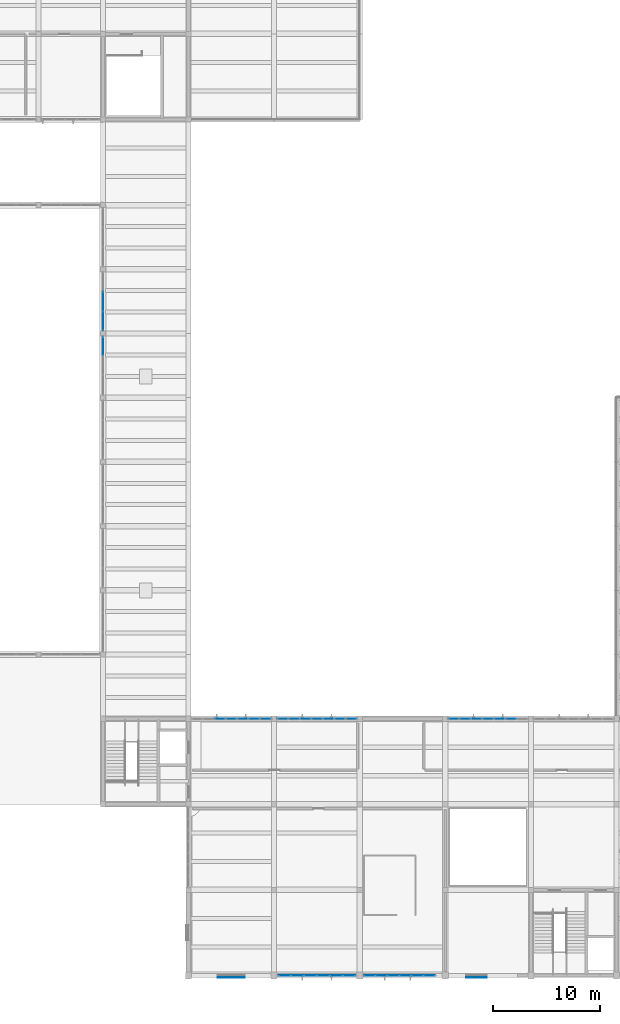
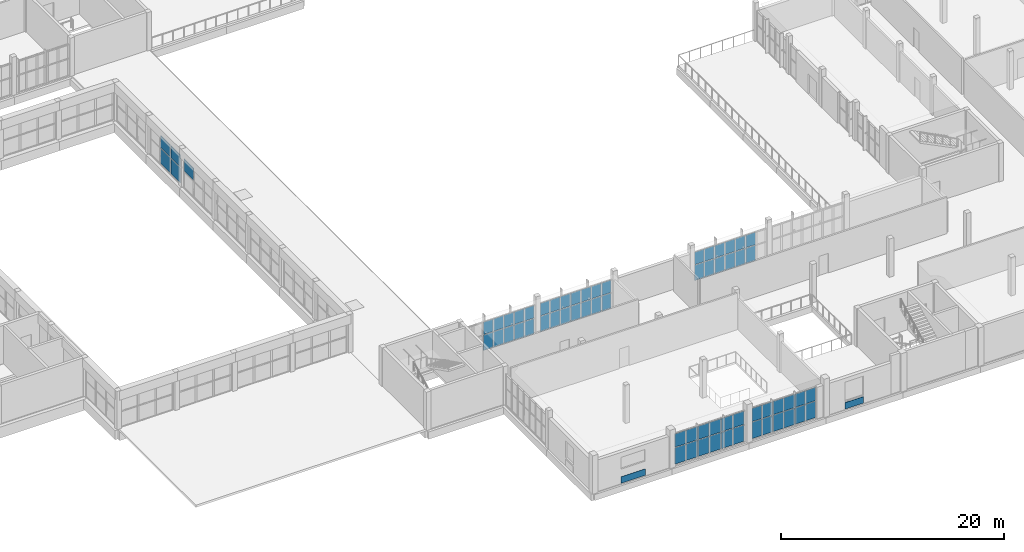
# One storey, part 42 of 70: 67 plates, 7 elements without a shape of their own.
"""IFC4 building model written with IfcOpenShell, lengths in metres."""

from ifc_helpers import new_model, si_unit, direction, frame, origin, origin_2d, place, context, subcontext, project, spatial, rectangle, extrude, material, layer, layer_set, type_object, element, aggregate, save


model = new_model("IFC4")

# Units and contexts
model_context = context("Model", 3, precision=1e-05, world=origin(), true_north=direction((0.0, 1.0)))
body_context = subcontext(model_context, "Body", "Model", "MODEL_VIEW")
ifc_project = project(units=[si_unit("LENGTHUNIT", "METRE"), si_unit("AREAUNIT", "SQUARE_METRE"), si_unit("VOLUMEUNIT", "CUBIC_METRE"), si_unit("PLANEANGLEUNIT", "RADIAN"), si_unit("MASSUNIT", "GRAM", prefix="KILO")], contexts=[model_context])

# Site, building, storey
site_placement = place(None, origin())
site = spatial("IfcSite", under=ifc_project, at=site_placement, CompositionType="ELEMENT")
building_placement = place(site_placement, origin())
building = spatial("IfcBuilding", under=site, at=building_placement, Name="Solvane Community Centre", CompositionType="ELEMENT")
storey_placement = place(building_placement, frame((0.0, 0.0, 9.60009765625)))
storey = spatial("IfcBuildingStorey", under=building, at=storey_placement, Name="L02", CompositionType="ELEMENT", Elevation=9.60009765625)

# Plates
ifc_material_1 = material(Name="Anodised bronze aluminium AW-6063 T6", Category="aluminium")
ifc_layer_1 = layer(ifc_material_1, 0.02392578125)
ifc_layer_set_1 = layer_set([ifc_layer_1], Name="Anodised bronze aluminium AW-6063 T6")
plate_type_1 = type_object("IfcPlateType", Name="Bronze Spandrel Cassette 24mm", PredefinedType="SHEET", material=ifc_layer_set_1)
plate_1_placement = place(storey_placement, frame((94.923095703125, 5.81298828125, 0.06005859375), z_axis=(0.0, 0.0, 1.0), x_axis=(-1.0, 0.0, 0.0)))
element("IfcPlate", 1, at=plate_1_placement, inside=storey, type_object=plate_type_1, Name="Art Deco Spandrel SPC-L02-031", PredefinedType="SHEET", context=body_context, shape_type="SweptSolid", body=[
    extrude(rectangle(XDim=1.89990234375, YDim=0.02392578125, at=origin_2d()), origin(), (0.0, 0.0, 1.0), 0.719970703125),
])
plate_2_placement = place(storey_placement, frame((72.0, 5.81298828125, 0.06005859375), z_axis=(0.0, 0.0, 1.0), x_axis=(-1.0, 0.0, 0.0)))
element("IfcPlate", 2, at=plate_2_placement, inside=storey, type_object=plate_type_1, Name="Art Deco Spandrel SPC-L02-032", PredefinedType="SHEET", context=body_context, shape_type="SweptSolid", body=[
    extrude(rectangle(XDim=2.5, YDim=0.02392578125, at=origin_2d()), origin(), (0.0, 0.0, 1.0), 0.719970703125),
])

# Curtain wall, plates
ifc_layer_2 = layer(ifc_material_1, 0.18994140625)
ifc_layer_set_2 = layer_set([ifc_layer_2], Name="Anodised bronze aluminium AW-6063 T6")
curtain_wall_type_1 = type_object("IfcCurtainWallType", Name="Boulevard Bronze Vision Curtain Wall [67x34dm]", PredefinedType="NOTDEFINED", material=ifc_layer_set_2)
curtain_wall_1_placement = place(storey_placement, origin())
curtain_wall_1 = element("IfcCurtainWall", 3, at=curtain_wall_1_placement, inside=storey, type_object=curtain_wall_type_1, Name="Curtain Wall CW-L02-911_60-189", PredefinedType="NOTDEFINED")
ifc_material_2 = material(Name="Tempered low-E double glazing", Category="glass")
ifc_layer_3 = layer(ifc_material_2, 0.028076171875)
ifc_layer_set_3 = layer_set([ifc_layer_3], Name="Tempered low-E double glazing")
plate_type_2 = type_object("IfcPlateType", Name="Low-E Vision Glazing Panel 28mm [67x34dm]", PredefinedType="CURTAIN_PANEL", material=ifc_layer_set_3)
plate_3_placement = place(storey_placement, frame((90.501708984375, 6.0, 0.06005859375), z_axis=(0.0, 0.0, 1.0), x_axis=(-1.0, 0.0, 0.0)))
plate_3 = element("IfcPlate", 4, at=plate_3_placement, type_object=plate_type_2, Name="CW02-67x34 panel 1.1", PredefinedType="CURTAIN_PANEL", context=body_context, shape_type="SweptSolid", body=[
    extrude(rectangle(XDim=1.0302734375, YDim=0.028076171875, at=origin_2d()), origin(), (0.0, 0.0, 1.0), 1.804931640625),
])
plate_4_placement = place(storey_placement, frame((90.501708984375, 6.0, 1.9248046875), z_axis=(0.0, 0.0, 1.0), x_axis=(-1.0, 0.0, 0.0)))
plate_4 = element("IfcPlate", 5, at=plate_4_placement, type_object=plate_type_2, Name="CW02-67x34 panel 1.2", PredefinedType="CURTAIN_PANEL", context=body_context, shape_type="SweptSolid", body=[
    extrude(rectangle(XDim=1.0302734375, YDim=0.028076171875, at=origin_2d()), origin(), (0.0, 0.0, 1.0), 1.4599609375),
])
plate_5_placement = place(storey_placement, frame((89.396484375, 6.0, 0.06005859375), z_axis=(0.0, 0.0, 1.0), x_axis=(-1.0, 0.0, 0.0)))
plate_5 = element("IfcPlate", 6, at=plate_5_placement, type_object=plate_type_2, Name="CW02-67x34 panel 2.1", PredefinedType="CURTAIN_PANEL", context=body_context, shape_type="SweptSolid", body=[
    extrude(rectangle(XDim=1.060302734375, YDim=0.028076171875, at=origin_2d()), origin(), (0.0, 0.0, 1.0), 1.804931640625),
])
plate_6_placement = place(storey_placement, frame((89.396484375, 6.0, 1.9248046875), z_axis=(0.0, 0.0, 1.0), x_axis=(-1.0, 0.0, 0.0)))
plate_6 = element("IfcPlate", 7, at=plate_6_placement, type_object=plate_type_2, Name="CW02-67x34 panel 2.2", PredefinedType="CURTAIN_PANEL", context=body_context, shape_type="SweptSolid", body=[
    extrude(rectangle(XDim=1.060302734375, YDim=0.028076171875, at=origin_2d()), origin(), (0.0, 0.0, 1.0), 1.4599609375),
])
plate_7_placement = place(storey_placement, frame((88.276123046875, 6.0, 0.06005859375), z_axis=(0.0, 0.0, 1.0), x_axis=(-1.0, 0.0, 0.0)))
plate_7 = element("IfcPlate", 8, at=plate_7_placement, type_object=plate_type_2, Name="CW02-67x34 panel 3.1", PredefinedType="CURTAIN_PANEL", context=body_context, shape_type="SweptSolid", body=[
    extrude(rectangle(XDim=1.060302734375, YDim=0.028076171875, at=origin_2d()), origin(), (0.0, 0.0, 1.0), 1.804931640625),
])
plate_8_placement = place(storey_placement, frame((88.276123046875, 6.0, 1.9248046875), z_axis=(0.0, 0.0, 1.0), x_axis=(-1.0, 0.0, 0.0)))
plate_8 = element("IfcPlate", 9, at=plate_8_placement, type_object=plate_type_2, Name="CW02-67x34 panel 3.2", PredefinedType="CURTAIN_PANEL", context=body_context, shape_type="SweptSolid", body=[
    extrude(rectangle(XDim=1.060302734375, YDim=0.028076171875, at=origin_2d()), origin(), (0.0, 0.0, 1.0), 1.4599609375),
])
plate_9_placement = place(storey_placement, frame((87.15576171875, 6.0, 0.06005859375), z_axis=(0.0, 0.0, 1.0), x_axis=(-1.0, 0.0, 0.0)))
plate_9 = element("IfcPlate", 10, at=plate_9_placement, type_object=plate_type_2, Name="CW02-67x34 panel 4.1", PredefinedType="CURTAIN_PANEL", context=body_context, shape_type="SweptSolid", body=[
    extrude(rectangle(XDim=1.060302734375, YDim=0.028076171875, at=origin_2d()), origin(), (0.0, 0.0, 1.0), 1.804931640625),
])
plate_10_placement = place(storey_placement, frame((87.15576171875, 6.0, 1.9248046875), z_axis=(0.0, 0.0, 1.0), x_axis=(-1.0, 0.0, 0.0)))
plate_10 = element("IfcPlate", 11, at=plate_10_placement, type_object=plate_type_2, Name="CW02-67x34 panel 4.2", PredefinedType="CURTAIN_PANEL", context=body_context, shape_type="SweptSolid", body=[
    extrude(rectangle(XDim=1.060302734375, YDim=0.028076171875, at=origin_2d()), origin(), (0.0, 0.0, 1.0), 1.4599609375),
])
plate_11_placement = place(storey_placement, frame((86.035400390625, 6.0, 0.06005859375), z_axis=(0.0, 0.0, 1.0), x_axis=(-1.0, 0.0, 0.0)))
plate_11 = element("IfcPlate", 12, at=plate_11_placement, type_object=plate_type_2, Name="CW02-67x34 panel 5.1", PredefinedType="CURTAIN_PANEL", context=body_context, shape_type="SweptSolid", body=[
    extrude(rectangle(XDim=1.060302734375, YDim=0.028076171875, at=origin_2d()), origin(), (0.0, 0.0, 1.0), 1.804931640625),
])
plate_12_placement = place(storey_placement, frame((86.035400390625, 6.0, 1.9248046875), z_axis=(0.0, 0.0, 1.0), x_axis=(-1.0, 0.0, 0.0)))
plate_12 = element("IfcPlate", 13, at=plate_12_placement, type_object=plate_type_2, Name="CW02-67x34 panel 5.2", PredefinedType="CURTAIN_PANEL", context=body_context, shape_type="SweptSolid", body=[
    extrude(rectangle(XDim=1.060302734375, YDim=0.028076171875, at=origin_2d()), origin(), (0.0, 0.0, 1.0), 1.4599609375),
])
plate_13_placement = place(storey_placement, frame((84.93017578125, 6.0, 0.06005859375), z_axis=(0.0, 0.0, 1.0), x_axis=(-1.0, 0.0, 0.0)))
plate_13 = element("IfcPlate", 14, at=plate_13_placement, type_object=plate_type_2, Name="CW02-67x34 panel 6.1", PredefinedType="CURTAIN_PANEL", context=body_context, shape_type="SweptSolid", body=[
    extrude(rectangle(XDim=1.0302734375, YDim=0.028076171875, at=origin_2d()), origin(), (0.0, 0.0, 1.0), 1.804931640625),
])
plate_14_placement = place(storey_placement, frame((84.93017578125, 6.0, 1.9248046875), z_axis=(0.0, 0.0, 1.0), x_axis=(-1.0, 0.0, 0.0)))
plate_14 = element("IfcPlate", 15, at=plate_14_placement, type_object=plate_type_2, Name="CW02-67x34 panel 6.2", PredefinedType="CURTAIN_PANEL", context=body_context, shape_type="SweptSolid", body=[
    extrude(rectangle(XDim=1.0302734375, YDim=0.028076171875, at=origin_2d()), origin(), (0.0, 0.0, 1.0), 1.4599609375),
])
aggregate(curtain_wall_1, [plate_3, plate_4, plate_5, plate_6, plate_7, plate_8, plate_9, plate_10, plate_11, plate_12, plate_13, plate_14])

ifc_layer_4 = layer(ifc_material_1, 0.18994140625)
ifc_layer_set_4 = layer_set([ifc_layer_4], Name="Anodised bronze aluminium AW-6063 T6")
curtain_wall_type_2 = type_object("IfcCurtainWallType", Name="Boulevard Bronze Vision Curtain Wall [73x34dm]", PredefinedType="NOTDEFINED", material=ifc_layer_set_4)
curtain_wall_2_placement = place(storey_placement, origin())
curtain_wall_2 = element("IfcCurtainWall", 16, at=curtain_wall_2_placement, inside=storey, type_object=curtain_wall_type_2, Name="Curtain Wall CW-L02-836_60-190", PredefinedType="NOTDEFINED")
ifc_layer_5 = layer(ifc_material_2, 0.028076171875)
ifc_layer_set_5 = layer_set([ifc_layer_5], Name="Tempered low-E double glazing")
plate_type_3 = type_object("IfcPlateType", Name="Low-E Vision Glazing Panel 28mm [73x34dm]", PredefinedType="CURTAIN_PANEL", material=ifc_layer_set_5)
plate_15_placement = place(storey_placement, frame((83.0224609375, 6.0, 0.06005859375), z_axis=(0.0, 0.0, 1.0), x_axis=(-1.0, 0.0, 0.0)))
plate_15 = element("IfcPlate", 17, at=plate_15_placement, type_object=plate_type_3, Name="CW02-73x34 panel 1.1", PredefinedType="CURTAIN_PANEL", context=body_context, shape_type="SweptSolid", body=[
    extrude(rectangle(XDim=1.125, YDim=0.028076171875, at=origin_2d()), origin(), (0.0, 0.0, 1.0), 1.804931640625),
])
plate_16_placement = place(storey_placement, frame((83.0224609375, 6.0, 1.9248046875), z_axis=(0.0, 0.0, 1.0), x_axis=(-1.0, 0.0, 0.0)))
plate_16 = element("IfcPlate", 18, at=plate_16_placement, type_object=plate_type_3, Name="CW02-73x34 panel 1.2", PredefinedType="CURTAIN_PANEL", context=body_context, shape_type="SweptSolid", body=[
    extrude(rectangle(XDim=1.125, YDim=0.028076171875, at=origin_2d()), origin(), (0.0, 0.0, 1.0), 1.4599609375),
])
plate_17_placement = place(storey_placement, frame((81.822509765625, 6.0, 0.06005859375), z_axis=(0.0, 0.0, 1.0), x_axis=(-1.0, 0.0, 0.0)))
plate_17 = element("IfcPlate", 19, at=plate_17_placement, type_object=plate_type_3, Name="CW02-73x34 panel 2.1", PredefinedType="CURTAIN_PANEL", context=body_context, shape_type="SweptSolid", body=[
    extrude(rectangle(XDim=1.155029296875, YDim=0.028076171875, at=origin_2d()), origin(), (0.0, 0.0, 1.0), 1.804931640625),
])
plate_18_placement = place(storey_placement, frame((81.822509765625, 6.0, 1.9248046875), z_axis=(0.0, 0.0, 1.0), x_axis=(-1.0, 0.0, 0.0)))
plate_18 = element("IfcPlate", 20, at=plate_18_placement, type_object=plate_type_3, Name="CW02-73x34 panel 2.2", PredefinedType="CURTAIN_PANEL", context=body_context, shape_type="SweptSolid", body=[
    extrude(rectangle(XDim=1.155029296875, YDim=0.028076171875, at=origin_2d()), origin(), (0.0, 0.0, 1.0), 1.4599609375),
])
plate_19_placement = place(storey_placement, frame((80.607421875, 6.0, 0.06005859375), z_axis=(0.0, 0.0, 1.0), x_axis=(-1.0, 0.0, 0.0)))
plate_19 = element("IfcPlate", 21, at=plate_19_placement, type_object=plate_type_3, Name="CW02-73x34 panel 3.1", PredefinedType="CURTAIN_PANEL", context=body_context, shape_type="SweptSolid", body=[
    extrude(rectangle(XDim=1.155029296875, YDim=0.028076171875, at=origin_2d()), origin(), (0.0, 0.0, 1.0), 1.804931640625),
])
plate_20_placement = place(storey_placement, frame((80.607421875, 6.0, 1.9248046875), z_axis=(0.0, 0.0, 1.0), x_axis=(-1.0, 0.0, 0.0)))
plate_20 = element("IfcPlate", 22, at=plate_20_placement, type_object=plate_type_3, Name="CW02-73x34 panel 3.2", PredefinedType="CURTAIN_PANEL", context=body_context, shape_type="SweptSolid", body=[
    extrude(rectangle(XDim=1.155029296875, YDim=0.028076171875, at=origin_2d()), origin(), (0.0, 0.0, 1.0), 1.4599609375),
])
plate_21_placement = place(storey_placement, frame((79.392578125, 6.0, 0.06005859375), z_axis=(0.0, 0.0, 1.0), x_axis=(-1.0, 0.0, 0.0)))
plate_21 = element("IfcPlate", 23, at=plate_21_placement, type_object=plate_type_3, Name="CW02-73x34 panel 4.1", PredefinedType="CURTAIN_PANEL", context=body_context, shape_type="SweptSolid", body=[
    extrude(rectangle(XDim=1.155029296875, YDim=0.028076171875, at=origin_2d()), origin(), (0.0, 0.0, 1.0), 1.804931640625),
])
plate_22_placement = place(storey_placement, frame((79.392578125, 6.0, 1.9248046875), z_axis=(0.0, 0.0, 1.0), x_axis=(-1.0, 0.0, 0.0)))
plate_22 = element("IfcPlate", 24, at=plate_22_placement, type_object=plate_type_3, Name="CW02-73x34 panel 4.2", PredefinedType="CURTAIN_PANEL", context=body_context, shape_type="SweptSolid", body=[
    extrude(rectangle(XDim=1.155029296875, YDim=0.028076171875, at=origin_2d()), origin(), (0.0, 0.0, 1.0), 1.4599609375),
])
plate_23_placement = place(storey_placement, frame((78.177490234375, 6.0, 0.06005859375), z_axis=(0.0, 0.0, 1.0), x_axis=(-1.0, 0.0, 0.0)))
plate_23 = element("IfcPlate", 25, at=plate_23_placement, type_object=plate_type_3, Name="CW02-73x34 panel 5.1", PredefinedType="CURTAIN_PANEL", context=body_context, shape_type="SweptSolid", body=[
    extrude(rectangle(XDim=1.155029296875, YDim=0.028076171875, at=origin_2d()), origin(), (0.0, 0.0, 1.0), 1.804931640625),
])
plate_24_placement = place(storey_placement, frame((78.177490234375, 6.0, 1.9248046875), z_axis=(0.0, 0.0, 1.0), x_axis=(-1.0, 0.0, 0.0)))
plate_24 = element("IfcPlate", 26, at=plate_24_placement, type_object=plate_type_3, Name="CW02-73x34 panel 5.2", PredefinedType="CURTAIN_PANEL", context=body_context, shape_type="SweptSolid", body=[
    extrude(rectangle(XDim=1.155029296875, YDim=0.028076171875, at=origin_2d()), origin(), (0.0, 0.0, 1.0), 1.4599609375),
])
plate_25_placement = place(storey_placement, frame((76.9775390625, 6.0, 0.06005859375), z_axis=(0.0, 0.0, 1.0), x_axis=(-1.0, 0.0, 0.0)))
plate_25 = element("IfcPlate", 27, at=plate_25_placement, type_object=plate_type_3, Name="CW02-73x34 panel 6.1", PredefinedType="CURTAIN_PANEL", context=body_context, shape_type="SweptSolid", body=[
    extrude(rectangle(XDim=1.125, YDim=0.028076171875, at=origin_2d()), origin(), (0.0, 0.0, 1.0), 1.804931640625),
])
plate_26_placement = place(storey_placement, frame((76.9775390625, 6.0, 1.9248046875), z_axis=(0.0, 0.0, 1.0), x_axis=(-1.0, 0.0, 0.0)))
plate_26 = element("IfcPlate", 28, at=plate_26_placement, type_object=plate_type_3, Name="CW02-73x34 panel 6.2", PredefinedType="CURTAIN_PANEL", context=body_context, shape_type="SweptSolid", body=[
    extrude(rectangle(XDim=1.125, YDim=0.028076171875, at=origin_2d()), origin(), (0.0, 0.0, 1.0), 1.4599609375),
])
aggregate(curtain_wall_2, [plate_15, plate_16, plate_17, plate_18, plate_19, plate_20, plate_21, plate_22, plate_23, plate_24, plate_25, plate_26])

ifc_layer_6 = layer(ifc_material_1, 0.18994140625)
ifc_layer_set_6 = layer_set([ifc_layer_6], Name="Anodised bronze aluminium AW-6063 T6")
curtain_wall_type_3 = type_object("IfcCurtainWallType", Name="Boulevard Bronze Vision Curtain Wall [75x32dm]", PredefinedType="NOTDEFINED", material=ifc_layer_set_6)
curtain_wall_3_placement = place(storey_placement, origin())
curtain_wall_3 = element("IfcCurtainWall", 29, at=curtain_wall_3_placement, inside=storey, type_object=curtain_wall_type_3, Name="Curtain Wall CW-L02-683_300-192", PredefinedType="NOTDEFINED")
ifc_layer_7 = layer(ifc_material_2, 0.028076171875)
ifc_layer_set_7 = layer_set([ifc_layer_7], Name="Tempered low-E double glazing")
plate_type_4 = type_object("IfcPlateType", Name="Low-E Vision Glazing Panel 28mm [75x32dm]", PredefinedType="CURTAIN_PANEL", material=ifc_layer_set_7)
plate_27_placement = place(storey_placement, frame((70.929931640625, 30.0, 0.06005859375), z_axis=(0.0, 0.0, 1.0), x_axis=(1.0, 0.0, 0.0)))
plate_27 = element("IfcPlate", 30, at=plate_27_placement, type_object=plate_type_4, Name="CW02-75x32 panel 3.1", PredefinedType="CURTAIN_PANEL", context=body_context, shape_type="SweptSolid", body=[
    extrude(rectangle(XDim=1.010009765625, YDim=0.028076171875, at=origin_2d()), origin(), (0.0, 0.0, 1.0), 1.695068359375),
])
plate_28_placement = place(storey_placement, frame((70.929931640625, 30.0, 1.81494140625), z_axis=(0.0, 0.0, 1.0), x_axis=(1.0, 0.0, 0.0)))
plate_28 = element("IfcPlate", 31, at=plate_28_placement, type_object=plate_type_4, Name="CW02-75x32 panel 3.2", PredefinedType="CURTAIN_PANEL", context=body_context, shape_type="SweptSolid", body=[
    extrude(rectangle(XDim=1.010009765625, YDim=0.028076171875, at=origin_2d()), origin(), (0.0, 0.0, 1.0), 1.3701171875),
])
plate_29_placement = place(storey_placement, frame((72.0, 30.0, 0.06005859375), z_axis=(0.0, 0.0, 1.0), x_axis=(1.0, 0.0, 0.0)))
plate_29 = element("IfcPlate", 32, at=plate_29_placement, type_object=plate_type_4, Name="CW02-75x32 panel 4.1", PredefinedType="CURTAIN_PANEL", context=body_context, shape_type="SweptSolid", body=[
    extrude(rectangle(XDim=1.010009765625, YDim=0.028076171875, at=origin_2d()), origin(), (0.0, 0.0, 1.0), 1.695068359375),
])
plate_30_placement = place(storey_placement, frame((72.0, 30.0, 1.81494140625), z_axis=(0.0, 0.0, 1.0), x_axis=(1.0, 0.0, 0.0)))
plate_30 = element("IfcPlate", 33, at=plate_30_placement, type_object=plate_type_4, Name="CW02-75x32 panel 4.2", PredefinedType="CURTAIN_PANEL", context=body_context, shape_type="SweptSolid", body=[
    extrude(rectangle(XDim=1.010009765625, YDim=0.028076171875, at=origin_2d()), origin(), (0.0, 0.0, 1.0), 1.3701171875),
])
plate_31_placement = place(storey_placement, frame((73.070068359375, 30.0, 0.06005859375), z_axis=(0.0, 0.0, 1.0), x_axis=(1.0, 0.0, 0.0)))
plate_31 = element("IfcPlate", 34, at=plate_31_placement, type_object=plate_type_4, Name="CW02-75x32 panel 5.1", PredefinedType="CURTAIN_PANEL", context=body_context, shape_type="SweptSolid", body=[
    extrude(rectangle(XDim=1.010009765625, YDim=0.028076171875, at=origin_2d()), origin(), (0.0, 0.0, 1.0), 1.695068359375),
])
plate_32_placement = place(storey_placement, frame((73.070068359375, 30.0, 1.81494140625), z_axis=(0.0, 0.0, 1.0), x_axis=(1.0, 0.0, 0.0)))
plate_32 = element("IfcPlate", 35, at=plate_32_placement, type_object=plate_type_4, Name="CW02-75x32 panel 5.2", PredefinedType="CURTAIN_PANEL", context=body_context, shape_type="SweptSolid", body=[
    extrude(rectangle(XDim=1.010009765625, YDim=0.028076171875, at=origin_2d()), origin(), (0.0, 0.0, 1.0), 1.3701171875),
])
plate_33_placement = place(storey_placement, frame((74.139892578125, 30.0, 0.06005859375), z_axis=(0.0, 0.0, 1.0), x_axis=(1.0, 0.0, 0.0)))
plate_33 = element("IfcPlate", 36, at=plate_33_placement, type_object=plate_type_4, Name="CW02-75x32 panel 6.1", PredefinedType="CURTAIN_PANEL", context=body_context, shape_type="SweptSolid", body=[
    extrude(rectangle(XDim=1.010009765625, YDim=0.028076171875, at=origin_2d()), origin(), (0.0, 0.0, 1.0), 1.695068359375),
])
plate_34_placement = place(storey_placement, frame((74.139892578125, 30.0, 1.81494140625), z_axis=(0.0, 0.0, 1.0), x_axis=(1.0, 0.0, 0.0)))
plate_34 = element("IfcPlate", 37, at=plate_34_placement, type_object=plate_type_4, Name="CW02-75x32 panel 6.2", PredefinedType="CURTAIN_PANEL", context=body_context, shape_type="SweptSolid", body=[
    extrude(rectangle(XDim=1.010009765625, YDim=0.028076171875, at=origin_2d()), origin(), (0.0, 0.0, 1.0), 1.3701171875),
])
plate_35_placement = place(storey_placement, frame((75.195068359375, 30.0, 0.06005859375), z_axis=(0.0, 0.0, 1.0), x_axis=(1.0, 0.0, 0.0)))
plate_35 = element("IfcPlate", 38, at=plate_35_placement, type_object=plate_type_4, Name="CW02-75x32 panel 7.1", PredefinedType="CURTAIN_PANEL", context=body_context, shape_type="SweptSolid", body=[
    extrude(rectangle(XDim=0.97998046875, YDim=0.028076171875, at=origin_2d()), origin(), (0.0, 0.0, 1.0), 1.695068359375),
])
plate_36_placement = place(storey_placement, frame((75.195068359375, 30.0, 1.81494140625), z_axis=(0.0, 0.0, 1.0), x_axis=(1.0, 0.0, 0.0)))
plate_36 = element("IfcPlate", 39, at=plate_36_placement, type_object=plate_type_4, Name="CW02-75x32 panel 7.2", PredefinedType="CURTAIN_PANEL", context=body_context, shape_type="SweptSolid", body=[
    extrude(rectangle(XDim=0.97998046875, YDim=0.028076171875, at=origin_2d()), origin(), (0.0, 0.0, 1.0), 1.3701171875),
])
aggregate(curtain_wall_3, [plate_27, plate_28, plate_29, plate_30, plate_31, plate_32, plate_33, plate_34, plate_35, plate_36])

curtain_wall_4_placement = place(storey_placement, origin())
curtain_wall_4 = element("IfcCurtainWall", 40, at=curtain_wall_4_placement, inside=storey, type_object=curtain_wall_type_3, Name="Curtain Wall CW-L02-763_300-193", PredefinedType="NOTDEFINED")
plate_37_placement = place(storey_placement, frame((76.804931640625, 30.0, 0.06005859375), z_axis=(0.0, 0.0, 1.0), x_axis=(1.0, 0.0, 0.0)))
plate_37 = element("IfcPlate", 41, at=plate_37_placement, type_object=plate_type_4, Name="CW02-75x32 panel 1.1", PredefinedType="CURTAIN_PANEL", context=body_context, shape_type="SweptSolid", body=[
    extrude(rectangle(XDim=0.97998046875, YDim=0.028076171875, at=origin_2d()), origin(), (0.0, 0.0, 1.0), 1.695068359375),
])
plate_38_placement = place(storey_placement, frame((76.804931640625, 30.0, 1.81494140625), z_axis=(0.0, 0.0, 1.0), x_axis=(1.0, 0.0, 0.0)))
plate_38 = element("IfcPlate", 42, at=plate_38_placement, type_object=plate_type_4, Name="CW02-75x32 panel 1.2", PredefinedType="CURTAIN_PANEL", context=body_context, shape_type="SweptSolid", body=[
    extrude(rectangle(XDim=0.97998046875, YDim=0.028076171875, at=origin_2d()), origin(), (0.0, 0.0, 1.0), 1.3701171875),
])
plate_39_placement = place(storey_placement, frame((77.860107421875, 30.0, 0.06005859375), z_axis=(0.0, 0.0, 1.0), x_axis=(1.0, 0.0, 0.0)))
plate_39 = element("IfcPlate", 43, at=plate_39_placement, type_object=plate_type_4, Name="CW02-75x32 panel 2.1", PredefinedType="CURTAIN_PANEL", context=body_context, shape_type="SweptSolid", body=[
    extrude(rectangle(XDim=1.010009765625, YDim=0.028076171875, at=origin_2d()), origin(), (0.0, 0.0, 1.0), 1.695068359375),
])
plate_40_placement = place(storey_placement, frame((77.860107421875, 30.0, 1.81494140625), z_axis=(0.0, 0.0, 1.0), x_axis=(1.0, 0.0, 0.0)))
plate_40 = element("IfcPlate", 44, at=plate_40_placement, type_object=plate_type_4, Name="CW02-75x32 panel 2.2", PredefinedType="CURTAIN_PANEL", context=body_context, shape_type="SweptSolid", body=[
    extrude(rectangle(XDim=1.010009765625, YDim=0.028076171875, at=origin_2d()), origin(), (0.0, 0.0, 1.0), 1.3701171875),
])
plate_41_placement = place(storey_placement, frame((78.929931640625, 30.0, 0.06005859375), z_axis=(0.0, 0.0, 1.0), x_axis=(1.0, 0.0, 0.0)))
plate_41 = element("IfcPlate", 45, at=plate_41_placement, type_object=plate_type_4, Name="CW02-75x32 panel 3.1", PredefinedType="CURTAIN_PANEL", context=body_context, shape_type="SweptSolid", body=[
    extrude(rectangle(XDim=1.010009765625, YDim=0.028076171875, at=origin_2d()), origin(), (0.0, 0.0, 1.0), 1.695068359375),
])
plate_42_placement = place(storey_placement, frame((78.929931640625, 30.0, 1.81494140625), z_axis=(0.0, 0.0, 1.0), x_axis=(1.0, 0.0, 0.0)))
plate_42 = element("IfcPlate", 46, at=plate_42_placement, type_object=plate_type_4, Name="CW02-75x32 panel 3.2", PredefinedType="CURTAIN_PANEL", context=body_context, shape_type="SweptSolid", body=[
    extrude(rectangle(XDim=1.010009765625, YDim=0.028076171875, at=origin_2d()), origin(), (0.0, 0.0, 1.0), 1.3701171875),
])
plate_43_placement = place(storey_placement, frame((80.0, 30.0, 0.06005859375), z_axis=(0.0, 0.0, 1.0), x_axis=(1.0, 0.0, 0.0)))
plate_43 = element("IfcPlate", 47, at=plate_43_placement, type_object=plate_type_4, Name="CW02-75x32 panel 4.1", PredefinedType="CURTAIN_PANEL", context=body_context, shape_type="SweptSolid", body=[
    extrude(rectangle(XDim=1.010009765625, YDim=0.028076171875, at=origin_2d()), origin(), (0.0, 0.0, 1.0), 1.695068359375),
])
plate_44_placement = place(storey_placement, frame((80.0, 30.0, 1.81494140625), z_axis=(0.0, 0.0, 1.0), x_axis=(1.0, 0.0, 0.0)))
plate_44 = element("IfcPlate", 48, at=plate_44_placement, type_object=plate_type_4, Name="CW02-75x32 panel 4.2", PredefinedType="CURTAIN_PANEL", context=body_context, shape_type="SweptSolid", body=[
    extrude(rectangle(XDim=1.010009765625, YDim=0.028076171875, at=origin_2d()), origin(), (0.0, 0.0, 1.0), 1.3701171875),
])
plate_45_placement = place(storey_placement, frame((81.070068359375, 30.0, 0.06005859375), z_axis=(0.0, 0.0, 1.0), x_axis=(1.0, 0.0, 0.0)))
plate_45 = element("IfcPlate", 49, at=plate_45_placement, type_object=plate_type_4, Name="CW02-75x32 panel 5.1", PredefinedType="CURTAIN_PANEL", context=body_context, shape_type="SweptSolid", body=[
    extrude(rectangle(XDim=1.010009765625, YDim=0.028076171875, at=origin_2d()), origin(), (0.0, 0.0, 1.0), 1.695068359375),
])
plate_46_placement = place(storey_placement, frame((81.070068359375, 30.0, 1.81494140625), z_axis=(0.0, 0.0, 1.0), x_axis=(1.0, 0.0, 0.0)))
plate_46 = element("IfcPlate", 50, at=plate_46_placement, type_object=plate_type_4, Name="CW02-75x32 panel 5.2", PredefinedType="CURTAIN_PANEL", context=body_context, shape_type="SweptSolid", body=[
    extrude(rectangle(XDim=1.010009765625, YDim=0.028076171875, at=origin_2d()), origin(), (0.0, 0.0, 1.0), 1.3701171875),
])
plate_47_placement = place(storey_placement, frame((82.139892578125, 30.0, 0.06005859375), z_axis=(0.0, 0.0, 1.0), x_axis=(1.0, 0.0, 0.0)))
plate_47 = element("IfcPlate", 51, at=plate_47_placement, type_object=plate_type_4, Name="CW02-75x32 panel 6.1", PredefinedType="CURTAIN_PANEL", context=body_context, shape_type="SweptSolid", body=[
    extrude(rectangle(XDim=1.010009765625, YDim=0.028076171875, at=origin_2d()), origin(), (0.0, 0.0, 1.0), 1.695068359375),
])
plate_48_placement = place(storey_placement, frame((82.139892578125, 30.0, 1.81494140625), z_axis=(0.0, 0.0, 1.0), x_axis=(1.0, 0.0, 0.0)))
plate_48 = element("IfcPlate", 52, at=plate_48_placement, type_object=plate_type_4, Name="CW02-75x32 panel 6.2", PredefinedType="CURTAIN_PANEL", context=body_context, shape_type="SweptSolid", body=[
    extrude(rectangle(XDim=1.010009765625, YDim=0.028076171875, at=origin_2d()), origin(), (0.0, 0.0, 1.0), 1.3701171875),
])
plate_49_placement = place(storey_placement, frame((83.195068359375, 30.0, 0.06005859375), z_axis=(0.0, 0.0, 1.0), x_axis=(1.0, 0.0, 0.0)))
plate_49 = element("IfcPlate", 53, at=plate_49_placement, type_object=plate_type_4, Name="CW02-75x32 panel 7.1", PredefinedType="CURTAIN_PANEL", context=body_context, shape_type="SweptSolid", body=[
    extrude(rectangle(XDim=0.97998046875, YDim=0.028076171875, at=origin_2d()), origin(), (0.0, 0.0, 1.0), 1.695068359375),
])
plate_50_placement = place(storey_placement, frame((83.195068359375, 30.0, 1.81494140625), z_axis=(0.0, 0.0, 1.0), x_axis=(1.0, 0.0, 0.0)))
plate_50 = element("IfcPlate", 54, at=plate_50_placement, type_object=plate_type_4, Name="CW02-75x32 panel 7.2", PredefinedType="CURTAIN_PANEL", context=body_context, shape_type="SweptSolid", body=[
    extrude(rectangle(XDim=0.97998046875, YDim=0.028076171875, at=origin_2d()), origin(), (0.0, 0.0, 1.0), 1.3701171875),
])
aggregate(curtain_wall_4, [plate_37, plate_38, plate_39, plate_40, plate_41, plate_42, plate_43, plate_44, plate_45, plate_46, plate_47, plate_48, plate_49, plate_50])

curtain_wall_5_placement = place(storey_placement, origin())
curtain_wall_5 = element("IfcCurtainWall", 55, at=curtain_wall_5_placement, inside=storey, type_object=curtain_wall_type_3, Name="Curtain Wall CW-L02-923_300-194", PredefinedType="NOTDEFINED")
plate_51_placement = place(storey_placement, frame((92.804931640625, 30.0, 0.06005859375), z_axis=(0.0, 0.0, 1.0), x_axis=(1.0, 0.0, 0.0)))
plate_51 = element("IfcPlate", 56, at=plate_51_placement, type_object=plate_type_4, Name="CW02-75x32 panel 1.1", PredefinedType="CURTAIN_PANEL", context=body_context, shape_type="SweptSolid", body=[
    extrude(rectangle(XDim=0.97998046875, YDim=0.028076171875, at=origin_2d()), origin(), (0.0, 0.0, 1.0), 1.695068359375),
])
plate_52_placement = place(storey_placement, frame((92.804931640625, 30.0, 1.81494140625), z_axis=(0.0, 0.0, 1.0), x_axis=(1.0, 0.0, 0.0)))
plate_52 = element("IfcPlate", 57, at=plate_52_placement, type_object=plate_type_4, Name="CW02-75x32 panel 1.2", PredefinedType="CURTAIN_PANEL", context=body_context, shape_type="SweptSolid", body=[
    extrude(rectangle(XDim=0.97998046875, YDim=0.028076171875, at=origin_2d()), origin(), (0.0, 0.0, 1.0), 1.3701171875),
])
plate_53_placement = place(storey_placement, frame((93.860107421875, 30.0, 0.06005859375), z_axis=(0.0, 0.0, 1.0), x_axis=(1.0, 0.0, 0.0)))
plate_53 = element("IfcPlate", 58, at=plate_53_placement, type_object=plate_type_4, Name="CW02-75x32 panel 2.1", PredefinedType="CURTAIN_PANEL", context=body_context, shape_type="SweptSolid", body=[
    extrude(rectangle(XDim=1.010009765625, YDim=0.028076171875, at=origin_2d()), origin(), (0.0, 0.0, 1.0), 1.695068359375),
])
plate_54_placement = place(storey_placement, frame((93.860107421875, 30.0, 1.81494140625), z_axis=(0.0, 0.0, 1.0), x_axis=(1.0, 0.0, 0.0)))
plate_54 = element("IfcPlate", 59, at=plate_54_placement, type_object=plate_type_4, Name="CW02-75x32 panel 2.2", PredefinedType="CURTAIN_PANEL", context=body_context, shape_type="SweptSolid", body=[
    extrude(rectangle(XDim=1.010009765625, YDim=0.028076171875, at=origin_2d()), origin(), (0.0, 0.0, 1.0), 1.3701171875),
])
plate_55_placement = place(storey_placement, frame((94.929931640625, 30.0, 0.06005859375), z_axis=(0.0, 0.0, 1.0), x_axis=(1.0, 0.0, 0.0)))
plate_55 = element("IfcPlate", 60, at=plate_55_placement, type_object=plate_type_4, Name="CW02-75x32 panel 3.1", PredefinedType="CURTAIN_PANEL", context=body_context, shape_type="SweptSolid", body=[
    extrude(rectangle(XDim=1.010009765625, YDim=0.028076171875, at=origin_2d()), origin(), (0.0, 0.0, 1.0), 1.695068359375),
])
plate_56_placement = place(storey_placement, frame((94.929931640625, 30.0, 1.81494140625), z_axis=(0.0, 0.0, 1.0), x_axis=(1.0, 0.0, 0.0)))
plate_56 = element("IfcPlate", 61, at=plate_56_placement, type_object=plate_type_4, Name="CW02-75x32 panel 3.2", PredefinedType="CURTAIN_PANEL", context=body_context, shape_type="SweptSolid", body=[
    extrude(rectangle(XDim=1.010009765625, YDim=0.028076171875, at=origin_2d()), origin(), (0.0, 0.0, 1.0), 1.3701171875),
])
plate_57_placement = place(storey_placement, frame((96.0, 30.0, 0.06005859375), z_axis=(0.0, 0.0, 1.0), x_axis=(1.0, 0.0, 0.0)))
plate_57 = element("IfcPlate", 62, at=plate_57_placement, type_object=plate_type_4, Name="CW02-75x32 panel 4.1", PredefinedType="CURTAIN_PANEL", context=body_context, shape_type="SweptSolid", body=[
    extrude(rectangle(XDim=1.010009765625, YDim=0.028076171875, at=origin_2d()), origin(), (0.0, 0.0, 1.0), 1.695068359375),
])
plate_58_placement = place(storey_placement, frame((96.0, 30.0, 1.81494140625), z_axis=(0.0, 0.0, 1.0), x_axis=(1.0, 0.0, 0.0)))
plate_58 = element("IfcPlate", 63, at=plate_58_placement, type_object=plate_type_4, Name="CW02-75x32 panel 4.2", PredefinedType="CURTAIN_PANEL", context=body_context, shape_type="SweptSolid", body=[
    extrude(rectangle(XDim=1.010009765625, YDim=0.028076171875, at=origin_2d()), origin(), (0.0, 0.0, 1.0), 1.3701171875),
])
plate_59_placement = place(storey_placement, frame((97.070068359375, 30.0, 0.06005859375), z_axis=(0.0, 0.0, 1.0), x_axis=(1.0, 0.0, 0.0)))
plate_59 = element("IfcPlate", 64, at=plate_59_placement, type_object=plate_type_4, Name="CW02-75x32 panel 5.1", PredefinedType="CURTAIN_PANEL", context=body_context, shape_type="SweptSolid", body=[
    extrude(rectangle(XDim=1.010009765625, YDim=0.028076171875, at=origin_2d()), origin(), (0.0, 0.0, 1.0), 1.695068359375),
])
plate_60_placement = place(storey_placement, frame((97.070068359375, 30.0, 1.81494140625), z_axis=(0.0, 0.0, 1.0), x_axis=(1.0, 0.0, 0.0)))
plate_60 = element("IfcPlate", 65, at=plate_60_placement, type_object=plate_type_4, Name="CW02-75x32 panel 5.2", PredefinedType="CURTAIN_PANEL", context=body_context, shape_type="SweptSolid", body=[
    extrude(rectangle(XDim=1.010009765625, YDim=0.028076171875, at=origin_2d()), origin(), (0.0, 0.0, 1.0), 1.3701171875),
])
plate_61_placement = place(storey_placement, frame((98.139892578125, 30.0, 0.06005859375), z_axis=(0.0, 0.0, 1.0), x_axis=(1.0, 0.0, 0.0)))
plate_61 = element("IfcPlate", 66, at=plate_61_placement, type_object=plate_type_4, Name="CW02-75x32 panel 6.1", PredefinedType="CURTAIN_PANEL", context=body_context, shape_type="SweptSolid", body=[
    extrude(rectangle(XDim=1.010009765625, YDim=0.028076171875, at=origin_2d()), origin(), (0.0, 0.0, 1.0), 1.695068359375),
])
plate_62_placement = place(storey_placement, frame((98.139892578125, 30.0, 1.81494140625), z_axis=(0.0, 0.0, 1.0), x_axis=(1.0, 0.0, 0.0)))
plate_62 = element("IfcPlate", 67, at=plate_62_placement, type_object=plate_type_4, Name="CW02-75x32 panel 6.2", PredefinedType="CURTAIN_PANEL", context=body_context, shape_type="SweptSolid", body=[
    extrude(rectangle(XDim=1.010009765625, YDim=0.028076171875, at=origin_2d()), origin(), (0.0, 0.0, 1.0), 1.3701171875),
])
aggregate(curtain_wall_5, [plate_51, plate_52, plate_53, plate_54, plate_55, plate_56, plate_57, plate_58, plate_59, plate_60, plate_61, plate_62])

# Curtain wall, plate
ifc_layer_8 = layer(ifc_material_1, 0.179931640625)
ifc_layer_set_8 = layer_set([ifc_layer_8], Name="Anodised bronze aluminium AW-6063 T6")
curtain_wall_type_4 = type_object("IfcCurtainWallType", Name="Hall Translucent Upper Curtain Wall [55x32dm]", PredefinedType="NOTDEFINED", material=ifc_layer_set_8)
curtain_wall_6_placement = place(storey_placement, origin())
curtain_wall_6 = element("IfcCurtainWall", 68, at=curtain_wall_6_placement, inside=storey, type_object=curtain_wall_type_4, Name="Curtain Wall CW-L02-600_603-140", PredefinedType="NOTDEFINED")
ifc_material_3 = material(Name="Translucent polycarbonate panel")
ifc_layer_9 = layer(ifc_material_3, 0.028076171875)
ifc_layer_set_9 = layer_set([ifc_layer_9], Name="Translucent polycarbonate panel")
plate_type_5 = type_object("IfcPlateType", Name="Translucent Polycarbonate Panel 28mm [55x32dm]", PredefinedType="CURTAIN_PANEL", material=ifc_layer_set_9)
plate_63_placement = place(storey_placement, frame((60.0, 64.81494140625, 1.78173828125), z_axis=(0.0, 0.0, 1.0), x_axis=(0.0, 1.0, 0.0)))
plate_63 = element("IfcPlate", 69, at=plate_63_placement, type_object=plate_type_5, Name="CW01-55x32 panel 3.2", PredefinedType="CURTAIN_PANEL", context=body_context, shape_type="SweptSolid", body=[
    extrude(rectangle(XDim=1.739990234375, YDim=0.028076171875, at=origin_2d()), origin(), (0.0, 0.0, 1.0), 1.343017578125),
])
aggregate(curtain_wall_6, [plate_63])

# Curtain wall, plates
curtain_wall_7_placement = place(storey_placement, origin())
curtain_wall_7 = element("IfcCurtainWall", 70, at=curtain_wall_7_placement, inside=storey, type_object=curtain_wall_type_4, Name="Curtain Wall CW-L02-600_663-141", PredefinedType="NOTDEFINED")
plate_64_placement = place(storey_placement, frame((60.0, 67.18505859375, 0.059814453125), z_axis=(0.0, 0.0, 1.0), x_axis=(0.0, 1.0, 0.0)))
plate_64 = element("IfcPlate", 71, at=plate_64_placement, type_object=plate_type_5, Name="CW01-55x32 panel 1.1", PredefinedType="CURTAIN_PANEL", context=body_context, shape_type="SweptSolid", body=[
    extrude(rectangle(XDim=1.739990234375, YDim=0.028076171875, at=origin_2d()), origin(), (0.0, 0.0, 1.0), 1.662109375),
])
plate_65_placement = place(storey_placement, frame((60.0, 67.18505859375, 1.78173828125), z_axis=(0.0, 0.0, 1.0), x_axis=(0.0, 1.0, 0.0)))
plate_65 = element("IfcPlate", 72, at=plate_65_placement, type_object=plate_type_5, Name="CW01-55x32 panel 1.2", PredefinedType="CURTAIN_PANEL", context=body_context, shape_type="SweptSolid", body=[
    extrude(rectangle(XDim=1.739990234375, YDim=0.028076171875, at=origin_2d()), origin(), (0.0, 0.0, 1.0), 1.343017578125),
])
plate_66_placement = place(storey_placement, frame((60.0, 69.0, 0.059814453125), z_axis=(0.0, 0.0, 1.0), x_axis=(0.0, 1.0, 0.0)))
plate_66 = element("IfcPlate", 73, at=plate_66_placement, type_object=plate_type_5, Name="CW01-55x32 panel 2.1", PredefinedType="CURTAIN_PANEL", context=body_context, shape_type="SweptSolid", body=[
    extrude(rectangle(XDim=1.77001953125, YDim=0.028076171875, at=origin_2d()), origin(), (0.0, 0.0, 1.0), 1.662109375),
])
plate_67_placement = place(storey_placement, frame((60.0, 69.0, 1.78173828125), z_axis=(0.0, 0.0, 1.0), x_axis=(0.0, 1.0, 0.0)))
plate_67 = element("IfcPlate", 74, at=plate_67_placement, type_object=plate_type_5, Name="CW01-55x32 panel 2.2", PredefinedType="CURTAIN_PANEL", context=body_context, shape_type="SweptSolid", body=[
    extrude(rectangle(XDim=1.77001953125, YDim=0.028076171875, at=origin_2d()), origin(), (0.0, 0.0, 1.0), 1.343017578125),
])
aggregate(curtain_wall_7, [plate_64, plate_65, plate_66, plate_67])

save(model, "model.ifc")
